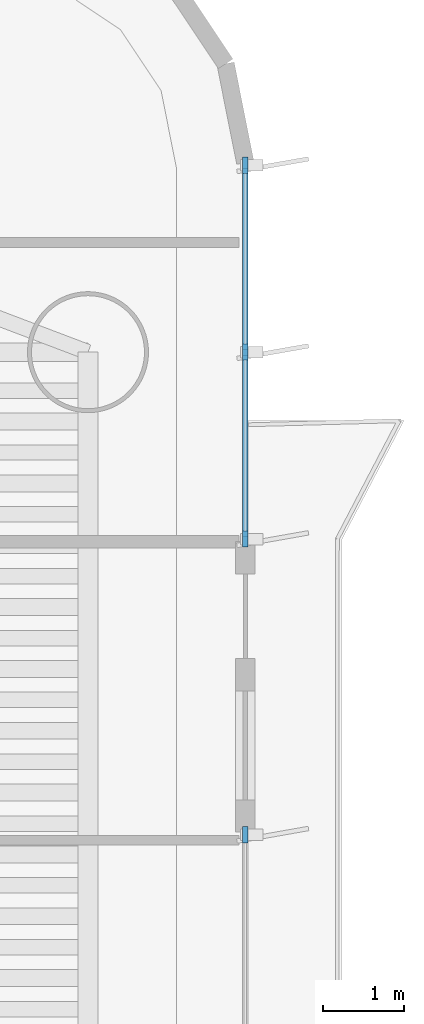
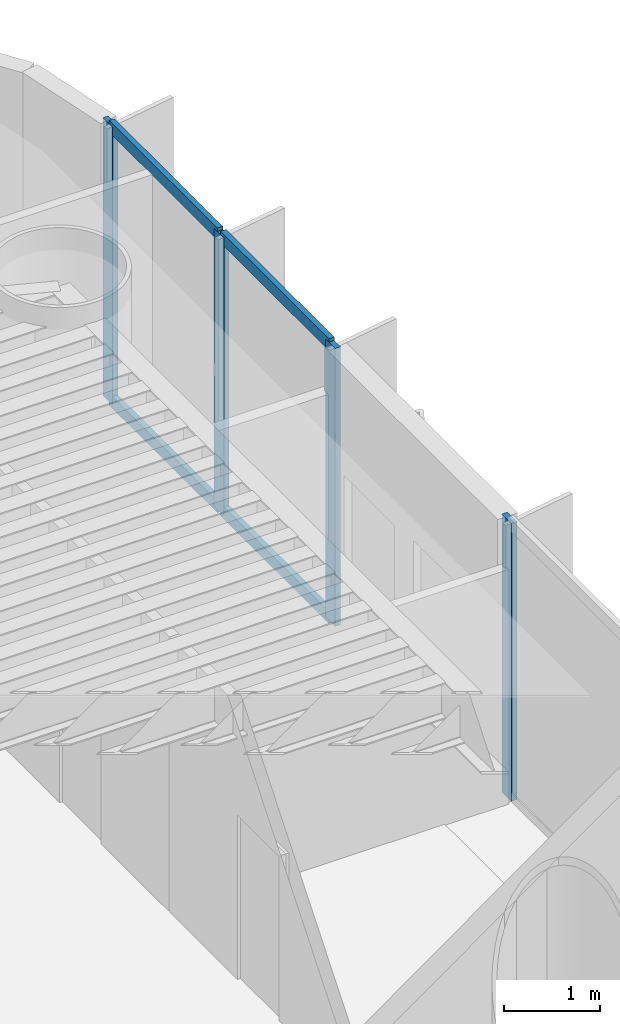
# One storey, part 6 of 19: 8 members, 2 elements without a shape of their own.
"""IFC4 building model written with IfcOpenShell, lengths in metres."""

from ifc_helpers import new_model, si_unit, direction, frame, origin, origin_2d, place, context, subcontext, project, spatial, rectangle, extrude, source, transform, mapped, material, layer, layer_set, material_profile, profile_set, type_object, element, aggregate, save


model = new_model("IFC4")

# Units and contexts
model_context = context("Model", 3, precision=1e-05, world=origin(), true_north=direction((0.0, 1.0)))
body_context = subcontext(model_context, "Body", "Model", "MODEL_VIEW")
ifc_project = project(units=[si_unit("LENGTHUNIT", "METRE"), si_unit("AREAUNIT", "SQUARE_METRE"), si_unit("VOLUMEUNIT", "CUBIC_METRE"), si_unit("PLANEANGLEUNIT", "RADIAN"), si_unit("MASSUNIT", "GRAM", prefix="KILO")], contexts=[model_context])

# Site, building, storey
site_placement = place(None, origin())
site = spatial("IfcSite", under=ifc_project, at=site_placement, CompositionType="ELEMENT")
building_placement = place(site_placement, origin())
building = spatial("IfcBuilding", under=site, at=building_placement, Name="Brelvock Crest Care Tower", CompositionType="ELEMENT")
storey_placement = place(building_placement, frame((0.0, 0.0, 34.56005859375)))
storey = spatial("IfcBuildingStorey", under=building, at=storey_placement, Name="L08", CompositionType="ELEMENT", Elevation=34.56005859375)

# Curtain wall, members
ifc_material_1 = material(Name="Dark Glass Double Glazed Low-E", Category="glass")
ifc_layer = layer(ifc_material_1, 0.195068359375, Name="CWS-2")
ifc_layer_set = layer_set([ifc_layer], Name="Dark Glass Double Glazed Low-E")
curtain_wall_type = type_object("IfcCurtainWallType", Name="CWS-2", PredefinedType="NOTDEFINED", material=ifc_layer_set)
curtain_wall_1_placement = place(storey_placement, origin())
curtain_wall_1 = element("IfcCurtainWall", 1, at=curtain_wall_1_placement, inside=storey, type_object=curtain_wall_type, Name="L08 Curtain Wall E03A", PredefinedType="NOTDEFINED")
ifc_material_2 = material(Name="Aluminium 6063-T6", Category="aluminium")
ifc_material_profile_1 = material_profile(ifc_material_2, rectangle(XDim=0.06494140625, YDim=0.199951171875, at=origin_2d()), Name="ALU65x200")
ifc_profile_set_1 = profile_set([ifc_material_profile_1], Name="Aluminium 6063-T6")
member_type_1 = type_object("IfcMemberType", Name="CWM-1", PredefinedType="MULLION", material=ifc_profile_set_1)
shared_shape_1 = source(origin(), body_context, "Body", "SweptSolid", [
    extrude(rectangle(XDim=0.06494140625, YDim=0.199951171875, at=origin_2d()), origin(), (0.0, 0.0, 1.0), 3.530029296875),
])
member_1_placement = place(storey_placement, frame((60.0, 32.767578125, 0.0), z_axis=(0.0, 0.0, 1.0), x_axis=(1.0, 0.0, 0.0)))
member_1 = element("IfcMember", 2, at=member_1_placement, type_object=member_type_1, Name="CW-2 mullion 1", PredefinedType="MULLION", context=body_context, shape_type="MappedRepresentation", body=[
    mapped(shared_shape_1, transform((0.0, 0.0, 0.0), x_axis=(1.0, 0.0, 0.0), y_axis=(0.0, 1.0, 0.0), z_axis=(0.0, 0.0, 1.0), scale=1.0)),
])
member_2_placement = place(storey_placement, frame((60.0, 30.449951171875, 0.0), z_axis=(0.0, 0.0, 1.0), x_axis=(1.0, 0.0, 0.0)))
member_2 = element("IfcMember", 3, at=member_2_placement, type_object=member_type_1, Name="CW-2 mullion 2", PredefinedType="MULLION", context=body_context, shape_type="MappedRepresentation", body=[
    mapped(shared_shape_1, transform((0.0, 0.0, 0.0), x_axis=(1.0, 0.0, 0.0), y_axis=(0.0, 1.0, 0.0), z_axis=(0.0, 0.0, 1.0), scale=1.0)),
])
member_3_placement = place(storey_placement, frame((60.0, 28.132568359375, 0.0), z_axis=(0.0, 0.0, 1.0), x_axis=(1.0, 0.0, 0.0)))
member_3 = element("IfcMember", 4, at=member_3_placement, type_object=member_type_1, Name="CW-2 mullion 3", PredefinedType="MULLION", context=body_context, shape_type="MappedRepresentation", body=[
    mapped(shared_shape_1, transform((0.0, 0.0, 0.0), x_axis=(1.0, 0.0, 0.0), y_axis=(0.0, 1.0, 0.0), z_axis=(0.0, 0.0, 1.0), scale=1.0)),
])

# Curtain wall, member
curtain_wall_2_placement = place(storey_placement, origin())
curtain_wall_2 = element("IfcCurtainWall", 5, at=curtain_wall_2_placement, inside=storey, type_object=curtain_wall_type, Name="L08 Curtain Wall E03B", PredefinedType="NOTDEFINED")
member_4_placement = place(storey_placement, frame((60.0, 24.467529296875, 0.0), z_axis=(0.0, 0.0, 1.0), x_axis=(1.0, 0.0, 0.0)))
member_4 = element("IfcMember", 6, at=member_4_placement, type_object=member_type_1, Name="CW-2 mullion 1", PredefinedType="MULLION", context=body_context, shape_type="MappedRepresentation", body=[
    mapped(shared_shape_1, transform((0.0, 0.0, 0.0), x_axis=(1.0, 0.0, 0.0), y_axis=(0.0, 1.0, 0.0), z_axis=(0.0, 0.0, 1.0), scale=1.0)),
])
aggregate(curtain_wall_2, [member_4])

# Member
ifc_material_profile_2 = material_profile(ifc_material_2, rectangle(XDim=0.06494140625, YDim=0.14990234375, at=origin_2d()), Name="ALU65x150")
ifc_profile_set_2 = profile_set([ifc_material_profile_2], Name="Aluminium 6063-T6")
member_type_2 = type_object("IfcMemberType", Name="CWT-1", PredefinedType="USERDEFINED", material=ifc_profile_set_2)
shared_shape_2 = source(origin(), body_context, "Body", "SweptSolid", [
    extrude(rectangle(XDim=0.06494140625, YDim=0.14990234375, at=origin_2d()), origin(), (0.0, 0.0, 1.0), 2.252685546875),
])
member_5_placement = place(storey_placement, frame((60.0, 32.735107421875, 0.032470703125), z_axis=(0.0, -1.0, 0.0), x_axis=(1.0, 0.0, 0.0)))
member_5 = element("IfcMember", 7, at=member_5_placement, type_object=member_type_2, Name="CW-2 transom 1.1", ObjectType="TRANSOM", PredefinedType="USERDEFINED", context=body_context, shape_type="MappedRepresentation", body=[
    mapped(shared_shape_2, transform((0.0, 0.0, 0.0), x_axis=(1.0, 0.0, 0.0), y_axis=(0.0, 1.0, 0.0), z_axis=(0.0, 0.0, 1.0), scale=1.0)),
])

member_6_placement = place(storey_placement, frame((60.0, 32.735107421875, 3.49755859375), z_axis=(0.0, -1.0, 0.0), x_axis=(1.0, 0.0, 0.0)))
member_6 = element("IfcMember", 8, at=member_6_placement, type_object=member_type_2, Name="CW-2 transom 1.2", ObjectType="TRANSOM", PredefinedType="USERDEFINED", context=body_context, shape_type="MappedRepresentation", body=[
    mapped(shared_shape_2, transform((0.0, 0.0, 0.0), x_axis=(1.0, 0.0, 0.0), y_axis=(0.0, 1.0, 0.0), z_axis=(0.0, 0.0, 1.0), scale=1.0)),
])

shared_shape_3 = source(origin(), body_context, "Body", "SweptSolid", [
    extrude(rectangle(XDim=0.06494140625, YDim=0.14990234375, at=origin_2d()), origin(), (0.0, 0.0, 1.0), 2.25244140625),
])
member_7_placement = place(storey_placement, frame((60.0, 30.41748046875, 0.032470703125), z_axis=(0.0, -1.0, 0.0), x_axis=(1.0, 0.0, 0.0)))
member_7 = element("IfcMember", 9, at=member_7_placement, type_object=member_type_2, Name="CW-2 transom 2.1", ObjectType="TRANSOM", PredefinedType="USERDEFINED", context=body_context, shape_type="MappedRepresentation", body=[
    mapped(shared_shape_3, transform((0.0, 0.0, 0.0), x_axis=(1.0, 0.0, 0.0), y_axis=(0.0, 1.0, 0.0), z_axis=(0.0, 0.0, 1.0), scale=1.0)),
])

member_8_placement = place(storey_placement, frame((60.0, 30.41748046875, 3.49755859375), z_axis=(0.0, -1.0, 0.0), x_axis=(1.0, 0.0, 0.0)))
member_8 = element("IfcMember", 10, at=member_8_placement, type_object=member_type_2, Name="CW-2 transom 2.2", ObjectType="TRANSOM", PredefinedType="USERDEFINED", context=body_context, shape_type="MappedRepresentation", body=[
    mapped(shared_shape_3, transform((0.0, 0.0, 0.0), x_axis=(1.0, 0.0, 0.0), y_axis=(0.0, 1.0, 0.0), z_axis=(0.0, 0.0, 1.0), scale=1.0)),
])

aggregate(curtain_wall_1, [member_1, member_2, member_3, member_5, member_6, member_7, member_8])

save(model, "model.ifc")
